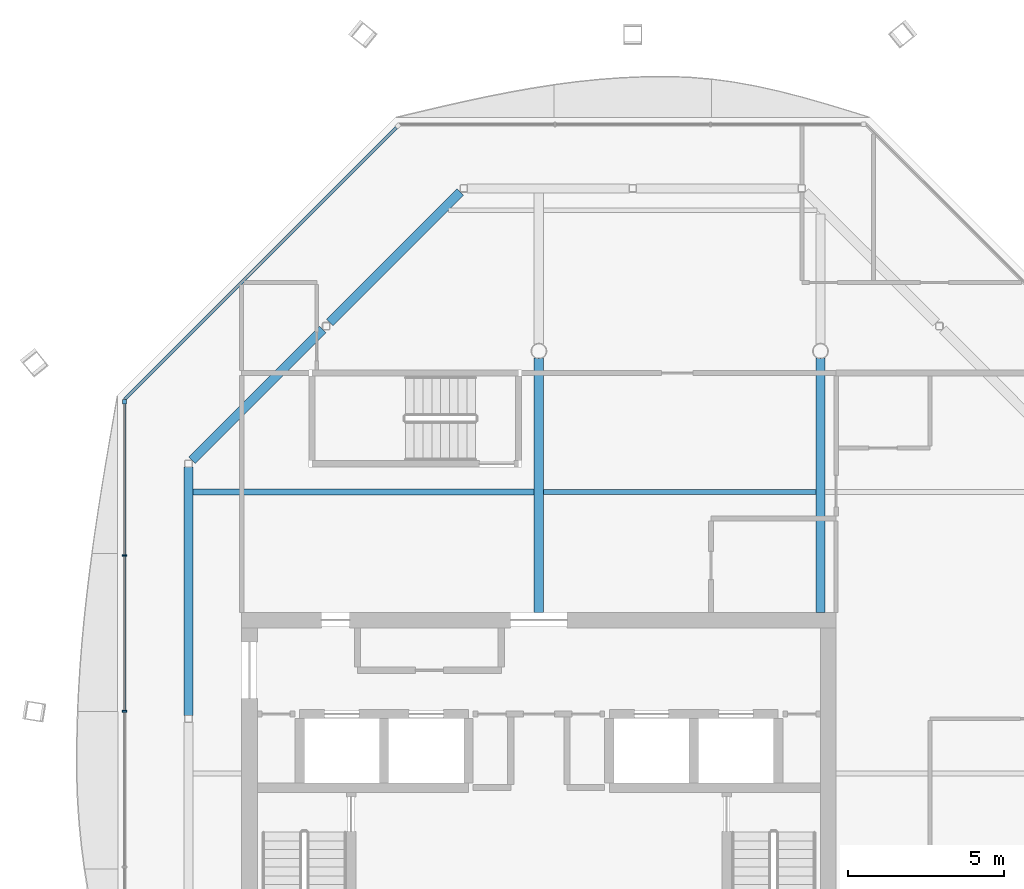
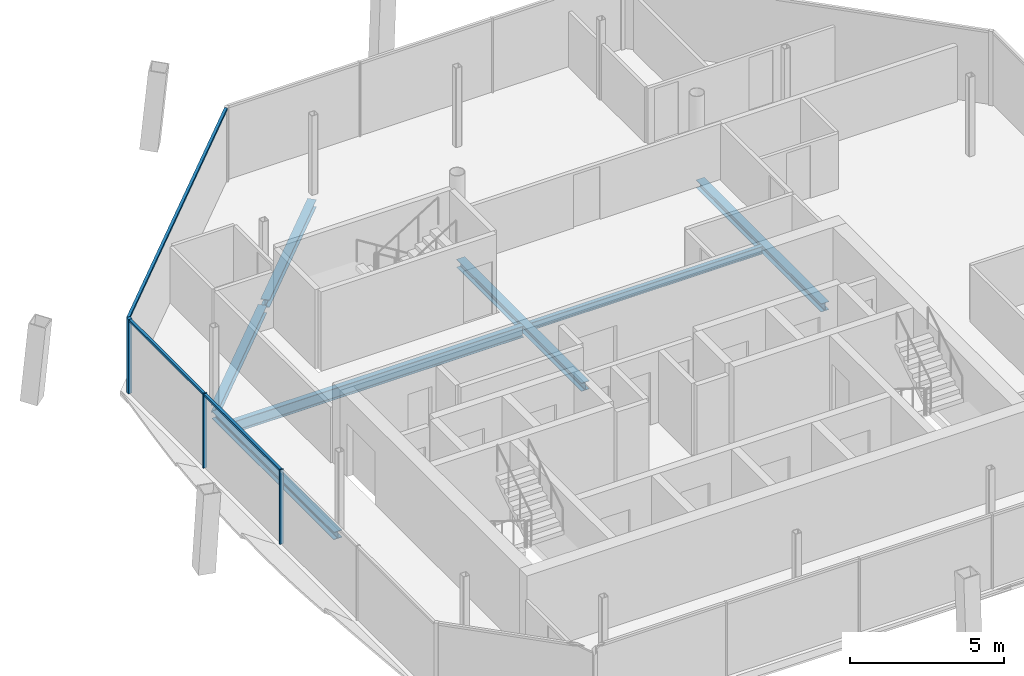
# One storey, part 5 of 14: 7 beams, 6 members, 2 elements without a shape of their own.
"""IFC4 building model written with IfcOpenShell, lengths in metres."""

from ifc_helpers import new_model, si_unit, direction, frame, origin, origin_2d, place, context, subcontext, project, spatial, rectangle, i_section, extrude, material, material_profile, profile_set, type_object, element, aggregate, save


model = new_model("IFC4")

# Units and contexts
model_context = context("Model", 3, precision=1e-05, world=origin(), true_north=direction((0.0, 1.0)))
body_context = subcontext(model_context, "Body", "Model", "MODEL_VIEW")
ifc_project = project(units=[si_unit("LENGTHUNIT", "METRE"), si_unit("AREAUNIT", "SQUARE_METRE"), si_unit("VOLUMEUNIT", "CUBIC_METRE"), si_unit("PLANEANGLEUNIT", "RADIAN"), si_unit("MASSUNIT", "GRAM", prefix="KILO")], contexts=[model_context])

# Site, building, storey
site_placement = place(None, origin())
site = spatial("IfcSite", under=ifc_project, at=site_placement, CompositionType="ELEMENT")
building_placement = place(site_placement, origin())
building = spatial("IfcBuilding", under=site, at=building_placement, Name="Tskaro Facet Tower", CompositionType="ELEMENT")
storey_placement = place(building_placement, frame((0.0, 0.0, 272.10009765625)))
storey = spatial("IfcBuildingStorey", under=building, at=storey_placement, Name="L72", CompositionType="ELEMENT", Elevation=272.10009765625)

# Curtain wall, members
ifc_material_1 = material(Name="Bronze anodised aluminium 6063-T6", Category="aluminium")
curtain_wall_type = type_object("IfcCurtainWallType", Name="Bronze residence curtain wall (FW3)", PredefinedType="NOTDEFINED", material=ifc_material_1)
curtain_wall_1_placement = place(storey_placement, origin())
curtain_wall_1 = element("IfcCurtainWall", 1, at=curtain_wall_1_placement, inside=storey, type_object=curtain_wall_type, Name="FW3 west facet L72", PredefinedType="NOTDEFINED")
ifc_material_profile_1 = material_profile(ifc_material_1, rectangle(XDim=0.139892578125, YDim=0.139892578125, at=origin_2d()), Name="Corner post 140x140")
ifc_profile_set_1 = profile_set([ifc_material_profile_1], Name="Bronze anodised aluminium 6063-T6")
member_type_1 = type_object("IfcMemberType", Name="FW3 bronze corner post 140x140", PredefinedType="MULLION", material=ifc_profile_set_1)
member_1_placement = place(storey_placement, frame((-13.24609375, 7.386962890625, 0.0), z_axis=(0.0, 0.0, 1.0), x_axis=(0.0, -1.0, 0.0)))
member_1 = element("IfcMember", 2, at=member_1_placement, type_object=member_type_1, Name="FW3 west corner post", PredefinedType="MULLION", context=body_context, shape_type="SweptSolid", body=[
    extrude(rectangle(XDim=0.139892578125, YDim=0.139892578125, at=origin_2d()), origin(), (0.0, 0.0, 1.0), 2.949951171875),
])
ifc_material_profile_2 = material_profile(ifc_material_1, rectangle(XDim=0.050048828125, YDim=0.139892578125, at=origin_2d()), Name="Mullion 50x140")
ifc_profile_set_2 = profile_set([ifc_material_profile_2], Name="Bronze anodised aluminium 6063-T6")
member_type_2 = type_object("IfcMemberType", Name="FW3 bronze mullion 50x140", PredefinedType="MULLION", material=ifc_profile_set_2)
member_2_placement = place(storey_placement, frame((-13.24609375, 2.472900390625, 0.0), z_axis=(0.0, 0.0, 1.0), x_axis=(0.0, -1.0, 0.0)))
member_2 = element("IfcMember", 3, at=member_2_placement, type_object=member_type_2, Name="FW3 west mullion 1", PredefinedType="MULLION", context=body_context, shape_type="SweptSolid", body=[
    extrude(rectangle(XDim=0.050048828125, YDim=0.139892578125, at=origin_2d()), origin(), (0.0, 0.0, 1.0), 2.949951171875),
])
member_3_placement = place(storey_placement, frame((-13.24609375, -2.510986328125, 0.0), z_axis=(0.0, 0.0, 1.0), x_axis=(0.0, -1.0, 0.0)))
member_3 = element("IfcMember", 4, at=member_3_placement, type_object=member_type_2, Name="FW3 west mullion 2", PredefinedType="MULLION", context=body_context, shape_type="SweptSolid", body=[
    extrude(rectangle(XDim=0.050048828125, YDim=0.139892578125, at=origin_2d()), origin(), (0.0, 0.0, 1.0), 2.949951171875),
])

# Curtain wall, member
curtain_wall_2_placement = place(storey_placement, origin())
curtain_wall_2 = element("IfcCurtainWall", 5, at=curtain_wall_2_placement, inside=storey, type_object=curtain_wall_type, Name="FW3 north-west facet L72", PredefinedType="NOTDEFINED")
ifc_material_profile_3 = material_profile(ifc_material_1, rectangle(XDim=0.10009765625, YDim=0.090087890625, at=origin_2d()), Name="Transom 100x90")
ifc_profile_set_3 = profile_set([ifc_material_profile_3], Name="Bronze anodised aluminium 6063-T6")
member_type_3 = type_object("IfcMemberType", Name="FW3 bronze transom 100x90", PredefinedType="USERDEFINED", material=ifc_profile_set_3)
member_4_placement = place(storey_placement, frame((-4.555908203125, 16.14697265625, 2.90478515625), z_axis=(-0.707116713926, -0.707096848307, 0.0), x_axis=(0.707096848307, -0.707116713926, 0.0)))
member_4 = element("IfcMember", 6, at=member_4_placement, type_object=member_type_3, Name="FW3 north-west transom 1.1", ObjectType="TRANSOM", PredefinedType="USERDEFINED", context=body_context, shape_type="SweptSolid", body=[
    extrude(rectangle(XDim=0.10009765625, YDim=0.090087890625, at=origin_2d()), origin(), (0.0, 0.0, 1.0), 12.28955078125),
])
aggregate(curtain_wall_2, [member_4])

# Member
member_5_placement = place(storey_placement, frame((-13.24609375, 7.31689453125, 2.90478515625), z_axis=(0.0, -1.0, 0.0), x_axis=(1.0, 0.0, 0.0)))
member_5 = element("IfcMember", 7, at=member_5_placement, type_object=member_type_3, Name="FW3 west transom 1.1", ObjectType="TRANSOM", PredefinedType="USERDEFINED", context=body_context, shape_type="SweptSolid", body=[
    extrude(rectangle(XDim=0.10009765625, YDim=0.090087890625, at=origin_2d()), origin(), (0.0, 0.0, 1.0), 4.81884765625),
])

member_6_placement = place(storey_placement, frame((-13.24609375, 2.447998046875, 2.90478515625), z_axis=(0.0, -1.0, 0.0), x_axis=(1.0, 0.0, 0.0)))
member_6 = element("IfcMember", 8, at=member_6_placement, type_object=member_type_3, Name="FW3 west transom 2.1", ObjectType="TRANSOM", PredefinedType="USERDEFINED", context=body_context, shape_type="SweptSolid", body=[
    extrude(rectangle(XDim=0.10009765625, YDim=0.090087890625, at=origin_2d()), origin(), (0.0, 0.0, 1.0), 4.93408203125),
])

aggregate(curtain_wall_1, [member_1, member_2, member_3, member_5, member_6])

# Beams
ifc_material_2 = material(Name="Steel S355J2", Category="steel")
ifc_material_profile_4 = material_profile(ifc_material_2, i_section(OverallWidth=0.300048828125, OverallDepth=0.300048828125, WebThickness=0.010986328125, FlangeThickness=0.01904296875, FilletRadius=0.027099609375, at=origin_2d()), Name="HE 300 B")
ifc_profile_set_4 = profile_set([ifc_material_profile_4], Name="Steel S355J2")
beam_type_1 = type_object("IfcBeamType", Name="HE 300 B ring beam", PredefinedType="BEAM", material=ifc_profile_set_4)
for number, where, z_axis, x_axis, name in (
    (9, (-2.513916015625, 14.089111328125, -0.2900390625), (-0.707024112481, -0.707189440228, 0.0), (0.707189440228, -0.707024112481, 0.0), "HE 300 B EB11-6"),
    (10, (-6.911865234375, 9.690185546875, -0.2900390625), (-0.707189440228, -0.707024112481, 0.0), (0.707024112481, -0.707189440228, 0.0), "HE 300 B EB12-6"),
):
    element("IfcBeam", number, at=place(storey_placement, frame(where, z_axis=z_axis, x_axis=x_axis)), inside=storey, type_object=beam_type_1, Name=name, PredefinedType="BEAM", context=body_context, shape_type="SweptSolid", body=[
        extrude(i_section(OverallWidth=0.300048828125, OverallDepth=0.300048828125, WebThickness=0.010986328125, FlangeThickness=0.01904296875, FilletRadius=0.027099609375, at=origin_2d()), origin(), (0.0, 0.0, 1.0), 5.90673828125),
    ])
beam_1_placement = place(storey_placement, frame((-11.199951171875, 5.298095703125, -0.2900390625), z_axis=(0.0, -1.0, 0.0), x_axis=(1.0, 0.0, 0.0)))
element("IfcBeam", 11, at=beam_1_placement, inside=storey, type_object=beam_type_1, Name="HE 300 B EB13-6", PredefinedType="BEAM", context=body_context, shape_type="SweptSolid", body=[
    extrude(i_section(OverallWidth=0.300048828125, OverallDepth=0.300048828125, WebThickness=0.010986328125, FlangeThickness=0.01904296875, FilletRadius=0.027099609375, at=origin_2d()), origin(), (0.0, 0.0, 1.0), 7.943115234375),
])
ifc_material_profile_5 = material_profile(ifc_material_2, i_section(OverallWidth=0.300048828125, OverallDepth=0.330078125, WebThickness=0.009521484375, FlangeThickness=0.0166015625, FilletRadius=0.027099609375, at=origin_2d()), Name="HE 340 A")
ifc_profile_set_5 = profile_set([ifc_material_profile_5], Name="Steel S355J2")
beam_type_2 = type_object("IfcBeamType", Name="HE 340 A girder", PredefinedType="BEAM", material=ifc_profile_set_5)
for number, where, z_axis, x_axis, name in (
    (12, (0.0, 0.64990234375, -0.30517578125), (0.0, 1.0, 0.0), (-1.0, 0.0, 0.0), "HE 340 A GB4-2-6"),
    (13, (9.0, 0.64990234375, -0.30517578125), (0.0, 1.0, 0.0), (-1.0, 0.0, 0.0), "HE 340 A GB5-2-6"),
):
    element("IfcBeam", number, at=place(storey_placement, frame(where, z_axis=z_axis, x_axis=x_axis)), inside=storey, type_object=beam_type_2, Name=name, PredefinedType="BEAM", context=body_context, shape_type="SweptSolid", body=[
        extrude(i_section(OverallWidth=0.300048828125, OverallDepth=0.330078125, WebThickness=0.009521484375, FlangeThickness=0.0166015625, FilletRadius=0.027099609375, at=origin_2d()), origin(), (0.0, 0.0, 1.0), 8.1259765625),
    ])
ifc_material_profile_6 = material_profile(ifc_material_2, i_section(OverallWidth=0.14990234375, OverallDepth=0.300048828125, WebThickness=0.007080078125, FlangeThickness=0.0107421875, FilletRadius=0.014892578125, at=origin_2d()), Name="IPE 300")
ifc_profile_set_6 = profile_set([ifc_material_profile_6], Name="Steel S355J2")
beam_type_3 = type_object("IfcBeamType", Name="IPE 300 secondary beam", PredefinedType="BEAM", material=ifc_profile_set_6)
beam_2_placement = place(storey_placement, frame((0.14990234375, 4.5, -0.2900390625), z_axis=(1.0, 0.0, 0.0), x_axis=(0.0, 1.0, 0.0)))
element("IfcBeam", 14, at=beam_2_placement, inside=storey, type_object=beam_type_3, Name="IPE 300 SB4a-2-6", PredefinedType="BEAM", context=body_context, shape_type="SweptSolid", body=[
    extrude(i_section(OverallWidth=0.14990234375, OverallDepth=0.300048828125, WebThickness=0.007080078125, FlangeThickness=0.0107421875, FilletRadius=0.014892578125, at=origin_2d()), origin(), (0.0, 0.0, 1.0), 8.7001953125),
])
ifc_material_profile_7 = material_profile(ifc_material_2, i_section(OverallWidth=0.18994140625, OverallDepth=0.449951171875, WebThickness=0.009521484375, FlangeThickness=0.0146484375, FilletRadius=0.02099609375, at=origin_2d()), Name="IPE 450")
ifc_profile_set_7 = profile_set([ifc_material_profile_7], Name="Steel S355J2")
beam_type_4 = type_object("IfcBeamType", Name="IPE 450 long secondary beam", PredefinedType="BEAM", material=ifc_profile_set_7)
beam_3_placement = place(storey_placement, frame((-11.050048828125, 4.5, -0.364990234375), z_axis=(1.0, 0.0, 0.0), x_axis=(0.0, 1.0, 0.0)))
element("IfcBeam", 15, at=beam_3_placement, inside=storey, type_object=beam_type_4, Name="IPE 450 LSB4a-1-6", PredefinedType="BEAM", context=body_context, shape_type="SweptSolid", body=[
    extrude(i_section(OverallWidth=0.18994140625, OverallDepth=0.449951171875, WebThickness=0.009521484375, FlangeThickness=0.0146484375, FilletRadius=0.02099609375, at=origin_2d()), origin(), (0.0, 0.0, 1.0), 10.900146484375),
])

save(model, "model.ifc")
